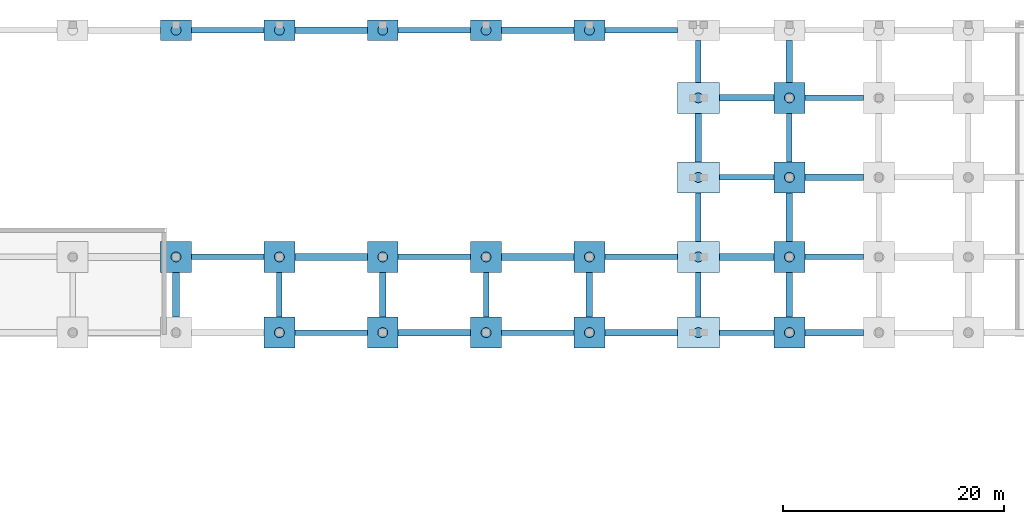
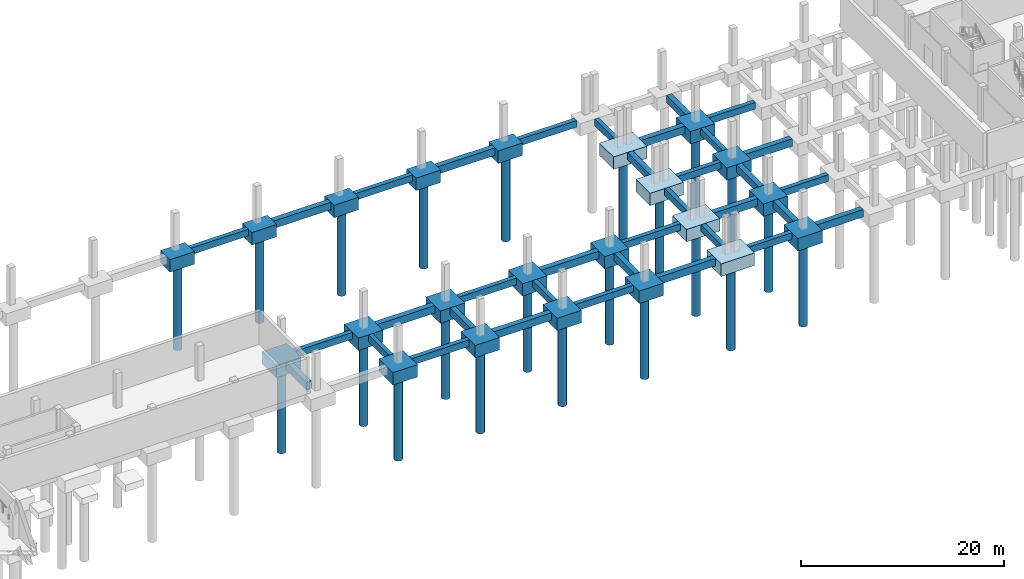
# One storey, part 5 of 21: 57 footings, 22 piles.
"""IFC4 building model written with IfcOpenShell, lengths in metres."""

import ifcopenshell
import ifcopenshell.guid

model = None  # the IFC model being written
_history = None  # IfcOwnerHistory: only IFC2X3 demands one
_inside = {}  # id of a spatial element -> (the spatial element, [elements in it])
_under = {}  # id of a project, library or spatial element -> (it, [spatial elements below it])
_declared = {}  # id of a project -> (the project, [libraries it declares])
_typed = {}  # id of a type object -> (the type object, [elements of that type])
_made_of = {}  # id of a material, layer set ... -> (it, [elements and type objects made of it])


def new_model(schema):
    """Start an empty IFC model of exactly this schema.

    Asked for "IFC4X3", IfcOpenShell would pick the latest addendum, in which some entities
    have other attributes; the version numbers below select the first issue.
    IFC2X3 requires an IfcOwnerHistory on every rooted entity: one is made here for all.
    """
    global model, _history
    if schema == "IFC4X3":
        model = ifcopenshell.file(schema_version=(4, 3, 0, 0))
    else:
        model = ifcopenshell.file(schema=schema)
    _inside.clear()
    _under.clear()
    _declared.clear()
    _typed.clear()
    _made_of.clear()
    _history = None
    if model.schema == "IFC2X3":
        org = make("IfcOrganization", Name="unknown")
        user = make(
            "IfcPersonAndOrganization",
            ThePerson=make("IfcPerson", FamilyName="unknown"),
            TheOrganization=org,
        )
        app = make(
            "IfcApplication",
            ApplicationDeveloper=org,
            Version="unknown",
            ApplicationFullName="unknown",
            ApplicationIdentifier="unknown",
        )
        _history = make(
            "IfcOwnerHistory",
            OwningUser=user,
            OwningApplication=app,
            ChangeAction="ADDED",
            CreationDate=0,
        )
    return model


def make(cls, **values):
    """One entity of the class cls with the attributes given. An attribute that is None is left unset."""
    return model.create_entity(
        cls, **{name: value for name, value in values.items() if value is not None}
    )


def rooted(cls, **values):
    """An entity with a GlobalId (a new one), such as an element, a storey or a relation."""
    return make(cls, GlobalId=ifcopenshell.guid.new(), OwnerHistory=_history, **values)


def si_unit(unit_type, name, prefix=None):
    """IfcSIUnit, for example si_unit("LENGTHUNIT", "METRE", prefix="MILLI")."""
    return make("IfcSIUnit", UnitType=unit_type, Prefix=prefix, Name=name)


def assignment(units):
    """IfcUnitAssignment: the units of a project."""
    return None if units is None else make("IfcUnitAssignment", Units=units)


def point(xyz):
    """IfcCartesianPoint."""
    return None if xyz is None else make("IfcCartesianPoint", Coordinates=xyz)


def direction(xyz):
    """IfcDirection."""
    return None if xyz is None else make("IfcDirection", DirectionRatios=xyz)


def frame(location, z_axis=None, x_axis=None):
    """IfcAxis2Placement3D, a coordinate frame: its origin and axes. An axis left out is left unset."""
    return make(
        "IfcAxis2Placement3D",
        Location=point(location),
        Axis=direction(z_axis),
        RefDirection=direction(x_axis),
    )


def frame_2d(location, x_axis=None):
    """IfcAxis2Placement2D, a coordinate frame in the plane: its origin and x axis."""
    return make(
        "IfcAxis2Placement2D", Location=point(location), RefDirection=direction(x_axis)
    )


def origin():
    """The frame at (0, 0, 0) with its axes left unset."""
    return frame((0.0, 0.0, 0.0))


def origin_2d():
    """The frame at (0, 0) in the plane with its x axis left unset."""
    return frame_2d((0.0, 0.0))


def place(relative_to, where):
    """IfcLocalPlacement: puts the frame where relative to a parent placement (None: the world)."""
    return make(
        "IfcLocalPlacement", PlacementRelTo=relative_to, RelativePlacement=where
    )


def context(
    kind, dimensions, precision=None, world=None, true_north=None, identifier=None
):
    """IfcGeometricRepresentationContext, for example the 3D "Model" context."""
    return make(
        "IfcGeometricRepresentationContext",
        ContextIdentifier=identifier,
        ContextType=kind,
        CoordinateSpaceDimension=dimensions,
        Precision=precision,
        WorldCoordinateSystem=world,
        TrueNorth=true_north,
    )


def subcontext(parent, identifier, kind, view, scale=None):
    """IfcGeometricRepresentationSubContext, for example "Body" below "Model"."""
    return make(
        "IfcGeometricRepresentationSubContext",
        ContextIdentifier=identifier,
        ContextType=kind,
        ParentContext=parent,
        TargetScale=scale,
        TargetView=view,
    )


def project(units=None, contexts=None):
    """IfcProject with its units and contexts."""
    return rooted(
        "IfcProject",
        Name="project",
        RepresentationContexts=contexts,
        UnitsInContext=assignment(units),
    )


def spatial(cls, under=None, at=None, **own):
    """A site, building, storey or space (cls), placed at a placement, below another one or the project."""
    s = rooted(cls, ObjectPlacement=at, **own)
    if under is not None:
        _under.setdefault(under.id(), (under, []))[1].append(s)
    return s


def polyline(points):
    """IfcPolyline through the points."""
    return make("IfcPolyline", Points=[point(p) for p in points])


def profile(cls, at=None, kind="AREA", **sizes):
    """A parametric profile (cls). Its sizes go by their IFC names, for example OverallWidth=200.0."""
    return make(cls, ProfileType=kind, Position=at, **sizes)


def circle(**sizes):
    """IfcCircleProfileDef."""
    return profile("IfcCircleProfileDef", **sizes)


def outline(outer, holes=None, kind="AREA"):
    """IfcArbitraryClosedProfileDef: a profile drawn as a closed curve; with holes, ...WithVoids."""
    if holes is None:
        return make("IfcArbitraryClosedProfileDef", ProfileType=kind, OuterCurve=outer)
    return make(
        "IfcArbitraryProfileDefWithVoids",
        ProfileType=kind,
        OuterCurve=outer,
        InnerCurves=holes,
    )


def extrude(swept, where, along, depth):
    """IfcExtrudedAreaSolid: the profile swept, set in the frame where, extruded along a direction by depth."""
    return make(
        "IfcExtrudedAreaSolid",
        SweptArea=swept,
        Position=where,
        ExtrudedDirection=direction(along),
        Depth=depth,
    )


def shape(context_of_items, identifier, shape_type, items):
    """IfcShapeRepresentation: the items that make up one representation, for example the "Body"."""
    return make(
        "IfcShapeRepresentation",
        ContextOfItems=context_of_items,
        RepresentationIdentifier=identifier,
        RepresentationType=shape_type,
        Items=items,
    )


def material(Name=None, Category=None):
    """IfcMaterial."""
    return make("IfcMaterial", Name=Name, Category=Category)


def material_profile(
    of_material, cross_section, Name=None, Category=None, Priority=None
):
    """IfcMaterialProfile: a cross section and its material."""
    return make(
        "IfcMaterialProfile",
        Name=Name,
        Material=of_material,
        Profile=cross_section,
        Priority=Priority,
        Category=Category,
    )


def profile_set(profiles, Name=None, composite=None):
    """IfcMaterialProfileSet."""
    return make(
        "IfcMaterialProfileSet",
        Name=Name,
        MaterialProfiles=profiles,
        CompositeProfile=composite,
    )


def made_of(thing, what):
    """Note that an element or type object is made of a material, layer set ...; save() writes the relation."""
    if what is not None:
        _made_of.setdefault(what.id(), (what, []))[1].append(thing)
    return thing


def type_object(cls, material=None, **own):
    """A type object (cls), such as IfcWallType, which elements share."""
    return made_of(rooted(cls, **own), material)


def element(
    cls,
    number,
    at=None,
    inside=None,
    cuts=None,
    type_object=None,
    material=None,
    context=None,
    identifier="Body",
    shape_type=None,
    held_by="IfcProductDefinitionShape",
    body=None,
    shapes=None,
    **own,
):
    """One element of the class cls, such as IfcWall. Its Tag is "e" and its number.

    at: its placement. inside: the storey or other place that contains it. cuts: it is an
    opening in that element (IfcRelVoidsElement). A single representation is given by context,
    identifier, shape_type and body (its items); several are given by shapes. held_by: the class
    of the entity that holds the representations. save() writes the other relations.
    """
    e = rooted(cls, Tag="e%d" % number, ObjectPlacement=at, **own)
    if body is not None:
        shapes = [shape(context, identifier, shape_type, body)]
    if shapes is not None:
        e.Representation = make(held_by, Representations=shapes)
    if inside is not None:
        _inside.setdefault(inside.id(), (inside, []))[1].append(e)
    if cuts is not None:
        rooted(
            "IfcRelVoidsElement", RelatingBuildingElement=cuts, RelatedOpeningElement=e
        )
    if type_object is not None:
        _typed.setdefault(type_object.id(), (type_object, []))[1].append(e)
    return made_of(e, material)


def aggregate(whole, parts):
    """IfcRelAggregates: a whole, such as a stair, and the parts it consists of."""
    return rooted("IfcRelAggregates", RelatingObject=whole, RelatedObjects=parts)


def save(model, path):
    """Write the relations noted so far, then the file.

    IfcRelAggregates (storeys below a building ...), IfcRelContainedInSpatialStructure (elements
    in a storey), IfcRelDefinesByType, IfcRelAssociatesMaterial and IfcRelDeclares: one each for
    every whole, place, type object, material and project.
    """
    for whole, parts in _under.values():
        aggregate(whole, parts)
    for where, things in _inside.values():
        rooted(
            "IfcRelContainedInSpatialStructure",
            RelatedElements=things,
            RelatingStructure=where,
        )
    for kind, things in _typed.values():
        rooted("IfcRelDefinesByType", RelatedObjects=things, RelatingType=kind)
    for what, things in _made_of.values():
        rooted("IfcRelAssociatesMaterial", RelatedObjects=things, RelatingMaterial=what)
    for by, libraries in _declared.values():
        rooted("IfcRelDeclares", RelatingContext=by, RelatedDefinitions=libraries)
    model.write(path)


model = new_model("IFC4")

# Units and contexts
model_context = context("Model", 3, precision=1e-05, world=origin(), true_north=direction((0.0, 1.0)))
body_context = subcontext(model_context, "Body", "Model", "MODEL_VIEW")
ifc_project = project(units=[si_unit("LENGTHUNIT", "METRE"), si_unit("AREAUNIT", "SQUARE_METRE"), si_unit("VOLUMEUNIT", "CUBIC_METRE"), si_unit("PLANEANGLEUNIT", "RADIAN"), si_unit("MASSUNIT", "GRAM", prefix="KILO")], contexts=[model_context])

# Site, building, storey
site_placement = place(None, origin())
site = spatial("IfcSite", under=ifc_project, at=site_placement, CompositionType="ELEMENT")
building_placement = place(site_placement, origin())
building = spatial("IfcBuilding", under=site, at=building_placement, Name="Quillay Park Conservatory", CompositionType="ELEMENT")
storey_placement = place(building_placement, frame((0.0, 0.0, -8.39990234375)))
storey = spatial("IfcBuildingStorey", under=building, at=storey_placement, Name="B2", CompositionType="ELEMENT", Elevation=-8.39990234375)

# Piles
ifc_material_1 = material(Name="Concrete C35/45 (NCh170 Concrete C35/45)", Category="concrete")
ifc_material_profile = material_profile(ifc_material_1, circle(Radius=0.449951171875, at=origin_2d()), Name="PILE900")
ifc_profile_set = profile_set([ifc_material_profile], Name="Concrete C35/45 (NCh170 Concrete C35/45)")
pile_type = type_object("IfcPileType", Name="BORED CONCRETE PILE 900", PredefinedType="BORED", material=ifc_profile_set)
for number, where, z_axis, x_axis, name in (
    (1, (77.427734375, 85.550048828125, -1.7001953125), (0.0, 0.0, -1.0), (1.0, 0.0, 0.0), "Bored pile P-0156"),
    (2, (86.783203125, 85.550048828125, -1.7001953125), (0.0, 0.0, -1.0), (1.0, 0.0, 0.0), "Bored pile P-0157"),
    (3, (96.138916015625, 85.550048828125, -1.7001953125), (0.0, 0.0, -1.0), (1.0, 0.0, 0.0), "Bored pile P-0158"),
    (4, (105.494384765625, 85.550048828125, -1.7001953125), (0.0, 0.0, -1.0), (1.0, 0.0, 0.0), "Bored pile P-0159"),
    (5, (115.35009765625, 85.550048828125, -1.7001953125), (0.0, 0.0, -1.0), (1.0, 0.0, 0.0), "Bored pile P-0160"),
    (6, (123.60009765625, 85.550048828125, -1.7001953125), (0.0, 0.0, -1.0), (1.0, 0.0, 0.0), "Bored pile P-0161"),
    (7, (68.072265625, 92.39990234375, -1.7001953125), (0.0, 0.0, -1.0), (1.0, 0.0, 0.0), "Bored pile P-0216"),
    (8, (77.427734375, 92.39990234375, -1.7001953125), (0.0, 0.0, -1.0), (1.0, 0.0, 0.0), "Bored pile P-0217"),
    (9, (86.783203125, 92.39990234375, -1.7001953125), (0.0, 0.0, -1.0), (1.0, 0.0, 0.0), "Bored pile P-0218"),
    (10, (96.138916015625, 92.39990234375, -1.7001953125), (0.0, 0.0, -1.0), (1.0, 0.0, 0.0), "Bored pile P-0219"),
    (11, (105.494384765625, 92.39990234375, -1.7001953125), (0.0, 0.0, -1.0), (1.0, 0.0, 0.0), "Bored pile P-0220"),
    (12, (115.35009765625, 92.39990234375, -1.7001953125), (0.0, 0.0, -1.0), (1.0, 0.0, 0.0), "Bored pile P-0221"),
    (13, (123.60009765625, 92.39990234375, -1.7001953125), (0.0, 0.0, -1.0), (1.0, 0.0, 0.0), "Bored pile P-0222"),
    (14, (115.35009765625, 99.60009765625, -1.7001953125), (0.0, 0.0, -1.0), (1.0, 0.0, 0.0), "Bored pile P-0228"),
    (15, (123.60009765625, 99.60009765625, -1.7001953125), (0.0, 0.0, -1.0), (1.0, 0.0, 0.0), "Bored pile P-0229"),
    (16, (115.35009765625, 106.800048828125, -1.7001953125), (0.0, 0.0, -1.0), (1.0, 0.0, 0.0), "Bored pile P-0238"),
    (17, (123.60009765625, 106.800048828125, -1.7001953125), (0.0, 0.0, -1.0), (1.0, 0.0, 0.0), "Bored pile P-0239"),
    (18, (68.072265625, 112.925048828125, -1.7001953125), (0.0, 0.0, -1.0), (1.0, 0.0, 0.0), "Bored pile P-0251"),
    (19, (77.427734375, 112.925048828125, -1.7001953125), (0.0, 0.0, -1.0), (1.0, 0.0, 0.0), "Bored pile P-0252"),
    (20, (86.783203125, 112.925048828125, -1.7001953125), (0.0, 0.0, -1.0), (1.0, 0.0, 0.0), "Bored pile P-0253"),
    (21, (96.138916015625, 112.925048828125, -1.7001953125), (0.0, 0.0, -1.0), (1.0, 0.0, 0.0), "Bored pile P-0254"),
    (22, (105.494384765625, 112.925048828125, -1.7001953125), (0.0, 0.0, -1.0), (1.0, 0.0, 0.0), "Bored pile P-0255"),
):
    element("IfcPile", number, at=place(storey_placement, frame(where, z_axis=z_axis, x_axis=x_axis)), inside=storey, type_object=pile_type, Name=name, PredefinedType="BORED", context=body_context, shape_type="SweptSolid", body=[
        extrude(circle(Radius=0.449951171875, at=origin_2d()), origin(), (0.0, 0.0, 1.0), 10.300048828125),
    ])

# Footings
ifc_material_2 = material(Name="Concrete C35/45 (NCh170 Concrete C35/45)", Category="concrete")
footing_type_1 = type_object("IfcFootingType", Name="BORED PILE CAP 2800 X1850", PredefinedType="PILE_CAP", material=ifc_material_2)
footing_1_placement = place(storey_placement, frame((0.0, 0.0, -1.800048828125)))
element("IfcFooting", 23, at=footing_1_placement, inside=storey, type_object=footing_type_1, Name="B2 pile cap PC-28 (102)", PredefinedType="PILE_CAP", context=body_context, shape_type="SweptSolid", body=[
    extrude(outline(polyline([(66.672119140625, 112.0), (69.47216796875, 112.0), (69.47216796875, 113.85009765625), (66.672119140625, 113.85009765625), (66.672119140625, 112.0)])), origin(), (0.0, 0.0, 1.0), 1.5),
])
footing_2_placement = place(storey_placement, frame((0.0, 0.0, -1.800048828125)))
element("IfcFooting", 24, at=footing_2_placement, inside=storey, type_object=footing_type_1, Name="B2 pile cap PC-28 (103)", PredefinedType="PILE_CAP", context=body_context, shape_type="SweptSolid", body=[
    extrude(outline(polyline([(76.02783203125, 112.0), (78.827880859375, 112.0), (78.827880859375, 113.85009765625), (76.02783203125, 113.85009765625), (76.02783203125, 112.0)])), origin(), (0.0, 0.0, 1.0), 1.5),
])
footing_3_placement = place(storey_placement, frame((0.0, 0.0, -1.800048828125)))
element("IfcFooting", 25, at=footing_3_placement, inside=storey, type_object=footing_type_1, Name="B2 pile cap PC-28 (104)", PredefinedType="PILE_CAP", context=body_context, shape_type="SweptSolid", body=[
    extrude(outline(polyline([(85.38330078125, 112.0), (88.183349609375, 112.0), (88.183349609375, 113.85009765625), (85.38330078125, 113.85009765625), (85.38330078125, 112.0)])), origin(), (0.0, 0.0, 1.0), 1.5),
])
footing_4_placement = place(storey_placement, frame((0.0, 0.0, -1.800048828125)))
element("IfcFooting", 26, at=footing_4_placement, inside=storey, type_object=footing_type_1, Name="B2 pile cap PC-28 (105)", PredefinedType="PILE_CAP", context=body_context, shape_type="SweptSolid", body=[
    extrude(outline(polyline([(94.739013671875, 112.0), (97.538818359375, 112.0), (97.538818359375, 113.85009765625), (94.739013671875, 113.85009765625), (94.739013671875, 112.0)])), origin(), (0.0, 0.0, 1.0), 1.5),
])
footing_5_placement = place(storey_placement, frame((0.0, 0.0, -1.800048828125)))
element("IfcFooting", 27, at=footing_5_placement, inside=storey, type_object=footing_type_1, Name="B2 pile cap PC-28 (106)", PredefinedType="PILE_CAP", context=body_context, shape_type="SweptSolid", body=[
    extrude(outline(polyline([(104.094482421875, 112.0), (106.894287109375, 112.0), (106.894287109375, 113.85009765625), (104.094482421875, 113.85009765625), (104.094482421875, 112.0)])), origin(), (0.0, 0.0, 1.0), 1.5),
])
ifc_material_3 = material(Name="Concrete C35/45 (NCh170 Concrete C35/45)", Category="concrete")
footing_type_2 = type_object("IfcFootingType", Name="BORED PILE CAP 2800 X2800", PredefinedType="PILE_CAP", material=ifc_material_3)
footing_6_placement = place(storey_placement, frame((0.0, 0.0, -1.800048828125)))
element("IfcFooting", 28, at=footing_6_placement, inside=storey, type_object=footing_type_2, Name="B2 pile cap PC-05 (054)", PredefinedType="PILE_CAP", context=body_context, shape_type="SweptSolid", body=[
    extrude(outline(polyline([(76.02783203125, 84.14990234375), (78.827880859375, 84.14990234375), (78.827880859375, 86.949951171875), (76.02783203125, 86.949951171875), (76.02783203125, 84.14990234375)])), origin(), (0.0, 0.0, 1.0), 1.5),
])
footing_7_placement = place(storey_placement, frame((0.0, 0.0, -1.800048828125)))
element("IfcFooting", 29, at=footing_7_placement, inside=storey, type_object=footing_type_2, Name="B2 pile cap PC-05 (055)", PredefinedType="PILE_CAP", context=body_context, shape_type="SweptSolid", body=[
    extrude(outline(polyline([(85.38330078125, 84.14990234375), (88.183349609375, 84.14990234375), (88.183349609375, 86.949951171875), (85.38330078125, 86.949951171875), (85.38330078125, 84.14990234375)])), origin(), (0.0, 0.0, 1.0), 1.5),
])
footing_8_placement = place(storey_placement, frame((0.0, 0.0, -1.800048828125)))
element("IfcFooting", 30, at=footing_8_placement, inside=storey, type_object=footing_type_2, Name="B2 pile cap PC-05 (056)", PredefinedType="PILE_CAP", context=body_context, shape_type="SweptSolid", body=[
    extrude(outline(polyline([(94.739013671875, 84.14990234375), (97.538818359375, 84.14990234375), (97.538818359375, 86.949951171875), (94.739013671875, 86.949951171875), (94.739013671875, 84.14990234375)])), origin(), (0.0, 0.0, 1.0), 1.5),
])
footing_9_placement = place(storey_placement, frame((0.0, 0.0, -1.800048828125)))
element("IfcFooting", 31, at=footing_9_placement, inside=storey, type_object=footing_type_2, Name="B2 pile cap PC-05 (057)", PredefinedType="PILE_CAP", context=body_context, shape_type="SweptSolid", body=[
    extrude(outline(polyline([(104.094482421875, 84.14990234375), (106.894287109375, 84.14990234375), (106.894287109375, 86.949951171875), (104.094482421875, 86.949951171875), (104.094482421875, 84.14990234375)])), origin(), (0.0, 0.0, 1.0), 1.5),
])
footing_10_placement = place(storey_placement, frame((0.0, 0.0, -1.800048828125)))
element("IfcFooting", 32, at=footing_10_placement, inside=storey, type_object=footing_type_2, Name="B2 pile cap PC-05 (059)", PredefinedType="PILE_CAP", context=body_context, shape_type="SweptSolid", body=[
    extrude(outline(polyline([(122.199951171875, 84.14990234375), (125.0, 84.14990234375), (125.0, 86.949951171875), (122.199951171875, 86.949951171875), (122.199951171875, 84.14990234375)])), origin(), (0.0, 0.0, 1.0), 1.5),
])
footing_11_placement = place(storey_placement, frame((0.0, 0.0, -1.800048828125)))
element("IfcFooting", 33, at=footing_11_placement, inside=storey, type_object=footing_type_2, Name="B2 pile cap PC-05 (069)", PredefinedType="PILE_CAP", context=body_context, shape_type="SweptSolid", body=[
    extrude(outline(polyline([(66.672119140625, 91.0), (69.47216796875, 91.0), (69.47216796875, 93.800048828125), (66.672119140625, 93.800048828125), (66.672119140625, 91.0)])), origin(), (0.0, 0.0, 1.0), 1.5),
])
footing_12_placement = place(storey_placement, frame((0.0, 0.0, -1.800048828125)))
element("IfcFooting", 34, at=footing_12_placement, inside=storey, type_object=footing_type_2, Name="B2 pile cap PC-05 (070)", PredefinedType="PILE_CAP", context=body_context, shape_type="SweptSolid", body=[
    extrude(outline(polyline([(76.02783203125, 91.0), (78.827880859375, 91.0), (78.827880859375, 93.800048828125), (76.02783203125, 93.800048828125), (76.02783203125, 91.0)])), origin(), (0.0, 0.0, 1.0), 1.5),
])
footing_13_placement = place(storey_placement, frame((0.0, 0.0, -1.800048828125)))
element("IfcFooting", 35, at=footing_13_placement, inside=storey, type_object=footing_type_2, Name="B2 pile cap PC-05 (071)", PredefinedType="PILE_CAP", context=body_context, shape_type="SweptSolid", body=[
    extrude(outline(polyline([(85.38330078125, 91.0), (88.183349609375, 91.0), (88.183349609375, 93.800048828125), (85.38330078125, 93.800048828125), (85.38330078125, 91.0)])), origin(), (0.0, 0.0, 1.0), 1.5),
])
footing_14_placement = place(storey_placement, frame((0.0, 0.0, -1.800048828125)))
element("IfcFooting", 36, at=footing_14_placement, inside=storey, type_object=footing_type_2, Name="B2 pile cap PC-05 (072)", PredefinedType="PILE_CAP", context=body_context, shape_type="SweptSolid", body=[
    extrude(outline(polyline([(94.739013671875, 91.0), (97.538818359375, 91.0), (97.538818359375, 93.800048828125), (94.739013671875, 93.800048828125), (94.739013671875, 91.0)])), origin(), (0.0, 0.0, 1.0), 1.5),
])
footing_15_placement = place(storey_placement, frame((0.0, 0.0, -1.800048828125)))
element("IfcFooting", 37, at=footing_15_placement, inside=storey, type_object=footing_type_2, Name="B2 pile cap PC-05 (073)", PredefinedType="PILE_CAP", context=body_context, shape_type="SweptSolid", body=[
    extrude(outline(polyline([(104.094482421875, 91.0), (106.894287109375, 91.0), (106.894287109375, 93.800048828125), (104.094482421875, 93.800048828125), (104.094482421875, 91.0)])), origin(), (0.0, 0.0, 1.0), 1.5),
])
footing_16_placement = place(storey_placement, frame((0.0, 0.0, -1.800048828125)))
element("IfcFooting", 38, at=footing_16_placement, inside=storey, type_object=footing_type_2, Name="B2 pile cap PC-05 (075)", PredefinedType="PILE_CAP", context=body_context, shape_type="SweptSolid", body=[
    extrude(outline(polyline([(122.199951171875, 91.0), (125.0, 91.0), (125.0, 93.800048828125), (122.199951171875, 93.800048828125), (122.199951171875, 91.0)])), origin(), (0.0, 0.0, 1.0), 1.5),
])
footing_17_placement = place(storey_placement, frame((0.0, 0.0, -1.800048828125)))
element("IfcFooting", 39, at=footing_17_placement, inside=storey, type_object=footing_type_2, Name="B2 pile cap PC-05 (082)", PredefinedType="PILE_CAP", context=body_context, shape_type="SweptSolid", body=[
    extrude(outline(polyline([(122.199951171875, 98.199951171875), (125.0, 98.199951171875), (125.0, 101.0), (122.199951171875, 101.0), (122.199951171875, 98.199951171875)])), origin(), (0.0, 0.0, 1.0), 1.5),
])
footing_18_placement = place(storey_placement, frame((0.0, 0.0, -1.800048828125)))
element("IfcFooting", 40, at=footing_18_placement, inside=storey, type_object=footing_type_2, Name="B2 pile cap PC-05 (091)", PredefinedType="PILE_CAP", context=body_context, shape_type="SweptSolid", body=[
    extrude(outline(polyline([(122.199951171875, 105.39990234375), (125.0, 105.39990234375), (125.0, 108.199951171875), (122.199951171875, 108.199951171875), (122.199951171875, 105.39990234375)])), origin(), (0.0, 0.0, 1.0), 1.5),
])
ifc_material_4 = material(Name="Concrete C35/45 (NCh170 Concrete C35/45)", Category="concrete")
footing_type_3 = type_object("IfcFootingType", Name="BORED PILE CAP 3800 X2800", PredefinedType="PILE_CAP", material=ifc_material_4)
footing_19_placement = place(storey_placement, frame((0.0, 0.0, -1.800048828125)))
element("IfcFooting", 41, at=footing_19_placement, inside=storey, type_object=footing_type_3, Name="B2 pile cap PC-19 (058)", PredefinedType="PILE_CAP", context=body_context, shape_type="SweptSolid", body=[
    extrude(outline(polyline([(113.449951171875, 84.14990234375), (117.25, 84.14990234375), (117.25, 86.949951171875), (113.449951171875, 86.949951171875), (113.449951171875, 84.14990234375)])), origin(), (0.0, 0.0, 1.0), 1.5),
])
footing_20_placement = place(storey_placement, frame((0.0, 0.0, -1.800048828125)))
element("IfcFooting", 42, at=footing_20_placement, inside=storey, type_object=footing_type_3, Name="B2 pile cap PC-19 (074)", PredefinedType="PILE_CAP", context=body_context, shape_type="SweptSolid", body=[
    extrude(outline(polyline([(113.449951171875, 91.0), (117.25, 91.0), (117.25, 93.800048828125), (113.449951171875, 93.800048828125), (113.449951171875, 91.0)])), origin(), (0.0, 0.0, 1.0), 1.5),
])
footing_21_placement = place(storey_placement, frame((0.0, 0.0, -1.800048828125)))
element("IfcFooting", 43, at=footing_21_placement, inside=storey, type_object=footing_type_3, Name="B2 pile cap PC-19 (081)", PredefinedType="PILE_CAP", context=body_context, shape_type="SweptSolid", body=[
    extrude(outline(polyline([(113.449951171875, 98.199951171875), (117.25, 98.199951171875), (117.25, 101.0), (113.449951171875, 101.0), (113.449951171875, 98.199951171875)])), origin(), (0.0, 0.0, 1.0), 1.5),
])
footing_22_placement = place(storey_placement, frame((0.0, 0.0, -1.800048828125)))
element("IfcFooting", 44, at=footing_22_placement, inside=storey, type_object=footing_type_3, Name="B2 pile cap PC-19 (090)", PredefinedType="PILE_CAP", context=body_context, shape_type="SweptSolid", body=[
    extrude(outline(polyline([(113.449951171875, 105.39990234375), (117.25, 105.39990234375), (117.25, 108.199951171875), (113.449951171875, 108.199951171875), (113.449951171875, 105.39990234375)])), origin(), (0.0, 0.0, 1.0), 1.5),
])
ifc_material_5 = material(Name="Concrete C35/45 (NCh170 Concrete C35/45)", Category="concrete")
footing_type_4 = type_object("IfcFootingType", Name="SEISMIC GROUND BEAM 500 X800", PredefinedType="FOOTING_BEAM", material=ifc_material_5)
footing_23_placement = place(storey_placement, frame((0.0, 0.0, -1.10009765625)))
element("IfcFooting", 45, at=footing_23_placement, inside=storey, type_object=footing_type_4, Name="Seismic ground tie beam FB-042", PredefinedType="FOOTING_BEAM", context=body_context, shape_type="SweptSolid", body=[
    extrude(outline(polyline([(78.827880859375, 85.300048828125), (85.38330078125, 85.300048828125), (85.38330078125, 85.800048828125), (78.827880859375, 85.800048828125), (78.827880859375, 85.300048828125)])), origin(), (0.0, 0.0, 1.0), 0.800048828125),
])
footing_24_placement = place(storey_placement, frame((0.0, 0.0, -1.10009765625)))
element("IfcFooting", 46, at=footing_24_placement, inside=storey, type_object=footing_type_4, Name="Seismic ground tie beam FB-044", PredefinedType="FOOTING_BEAM", context=body_context, shape_type="SweptSolid", body=[
    extrude(outline(polyline([(97.538818359375, 85.300048828125), (104.094482421875, 85.300048828125), (104.094482421875, 85.800048828125), (97.538818359375, 85.800048828125), (97.538818359375, 85.300048828125)])), origin(), (0.0, 0.0, 1.0), 0.800048828125),
])
footing_25_placement = place(storey_placement, frame((0.0, 0.0, -1.10009765625)))
element("IfcFooting", 47, at=footing_25_placement, inside=storey, type_object=footing_type_4, Name="Seismic ground tie beam FB-046", PredefinedType="FOOTING_BEAM", context=body_context, shape_type="SweptSolid", body=[
    extrude(outline(polyline([(117.25, 85.300048828125), (122.199951171875, 85.300048828125), (122.199951171875, 85.800048828125), (117.25, 85.800048828125), (117.25, 85.300048828125)])), origin(), (0.0, 0.0, 1.0), 0.800048828125),
])
footing_26_placement = place(storey_placement, frame((0.0, 0.0, -1.10009765625)))
element("IfcFooting", 48, at=footing_26_placement, inside=storey, type_object=footing_type_4, Name="Seismic ground tie beam FB-056", PredefinedType="FOOTING_BEAM", context=body_context, shape_type="SweptSolid", body=[
    extrude(outline(polyline([(69.47216796875, 92.14990234375), (76.02783203125, 92.14990234375), (76.02783203125, 92.64990234375), (69.47216796875, 92.64990234375), (69.47216796875, 92.14990234375)])), origin(), (0.0, 0.0, 1.0), 0.800048828125),
])
footing_27_placement = place(storey_placement, frame((0.0, 0.0, -1.10009765625)))
element("IfcFooting", 49, at=footing_27_placement, inside=storey, type_object=footing_type_4, Name="Seismic ground tie beam FB-058", PredefinedType="FOOTING_BEAM", context=body_context, shape_type="SweptSolid", body=[
    extrude(outline(polyline([(88.183349609375, 92.14990234375), (94.739013671875, 92.14990234375), (94.739013671875, 92.64990234375), (88.183349609375, 92.64990234375), (88.183349609375, 92.14990234375)])), origin(), (0.0, 0.0, 1.0), 0.800048828125),
])
footing_28_placement = place(storey_placement, frame((0.0, 0.0, -1.10009765625)))
element("IfcFooting", 50, at=footing_28_placement, inside=storey, type_object=footing_type_4, Name="Seismic ground tie beam FB-060", PredefinedType="FOOTING_BEAM", context=body_context, shape_type="SweptSolid", body=[
    extrude(outline(polyline([(106.894287109375, 92.14990234375), (113.449951171875, 92.14990234375), (113.449951171875, 92.64990234375), (106.894287109375, 92.64990234375), (106.894287109375, 92.14990234375)])), origin(), (0.0, 0.0, 1.0), 0.800048828125),
])
footing_29_placement = place(storey_placement, frame((0.0, 0.0, -1.10009765625)))
element("IfcFooting", 51, at=footing_29_placement, inside=storey, type_object=footing_type_4, Name="Seismic ground tie beam FB-062", PredefinedType="FOOTING_BEAM", context=body_context, shape_type="SweptSolid", body=[
    extrude(outline(polyline([(125.0, 92.14990234375), (130.300048828125, 92.14990234375), (130.300048828125, 92.64990234375), (125.0, 92.64990234375), (125.0, 92.14990234375)])), origin(), (0.0, 0.0, 1.0), 0.800048828125),
])
footing_30_placement = place(storey_placement, frame((0.0, 0.0, -1.10009765625)))
element("IfcFooting", 52, at=footing_30_placement, inside=storey, type_object=footing_type_4, Name="Seismic ground tie beam FB-066", PredefinedType="FOOTING_BEAM", context=body_context, shape_type="SweptSolid", body=[
    extrude(outline(polyline([(117.25, 99.35009765625), (122.199951171875, 99.35009765625), (122.199951171875, 99.85009765625), (117.25, 99.85009765625), (117.25, 99.35009765625)])), origin(), (0.0, 0.0, 1.0), 0.800048828125),
])
footing_31_placement = place(storey_placement, frame((0.0, 0.0, -1.10009765625)))
element("IfcFooting", 53, at=footing_31_placement, inside=storey, type_object=footing_type_4, Name="Seismic ground tie beam FB-074", PredefinedType="FOOTING_BEAM", context=body_context, shape_type="SweptSolid", body=[
    extrude(outline(polyline([(125.0, 106.550048828125), (130.300048828125, 106.550048828125), (130.300048828125, 107.050048828125), (125.0, 107.050048828125), (125.0, 106.550048828125)])), origin(), (0.0, 0.0, 1.0), 0.800048828125),
])
footing_32_placement = place(storey_placement, frame((0.0, 0.0, -1.10009765625)))
element("IfcFooting", 54, at=footing_32_placement, inside=storey, type_object=footing_type_4, Name="Seismic ground tie beam FB-084", PredefinedType="FOOTING_BEAM", context=body_context, shape_type="SweptSolid", body=[
    extrude(outline(polyline([(69.47216796875, 112.675048828125), (76.02783203125, 112.675048828125), (76.02783203125, 113.175048828125), (69.47216796875, 113.175048828125), (69.47216796875, 112.675048828125)])), origin(), (0.0, 0.0, 1.0), 0.800048828125),
])
footing_33_placement = place(storey_placement, frame((0.0, 0.0, -1.10009765625)))
element("IfcFooting", 55, at=footing_33_placement, inside=storey, type_object=footing_type_4, Name="Seismic ground tie beam FB-086", PredefinedType="FOOTING_BEAM", context=body_context, shape_type="SweptSolid", body=[
    extrude(outline(polyline([(88.183349609375, 112.675048828125), (94.739013671875, 112.675048828125), (94.739013671875, 113.175048828125), (88.183349609375, 113.175048828125), (88.183349609375, 112.675048828125)])), origin(), (0.0, 0.0, 1.0), 0.800048828125),
])
footing_34_placement = place(storey_placement, frame((0.0, 0.0, -1.10009765625)))
element("IfcFooting", 56, at=footing_34_placement, inside=storey, type_object=footing_type_4, Name="Seismic ground tie beam FB-088", PredefinedType="FOOTING_BEAM", context=body_context, shape_type="SweptSolid", body=[
    extrude(outline(polyline([(106.894287109375, 112.675048828125), (113.449951171875, 112.675048828125), (113.449951171875, 113.175048828125), (106.894287109375, 113.175048828125), (106.894287109375, 112.675048828125)])), origin(), (0.0, 0.0, 1.0), 0.800048828125),
])
footing_35_placement = place(storey_placement, frame((0.0, 0.0, -1.10009765625)))
element("IfcFooting", 57, at=footing_35_placement, inside=storey, type_object=footing_type_4, Name="Seismic ground tie beam FB-144", PredefinedType="FOOTING_BEAM", context=body_context, shape_type="SweptSolid", body=[
    extrude(outline(polyline([(77.177978515625, 86.949951171875), (77.677978515625, 86.949951171875), (77.677978515625, 91.0), (77.177978515625, 91.0), (77.177978515625, 86.949951171875)])), origin(), (0.0, 0.0, 1.0), 0.800048828125),
])
footing_36_placement = place(storey_placement, frame((0.0, 0.0, -1.10009765625)))
element("IfcFooting", 58, at=footing_36_placement, inside=storey, type_object=footing_type_4, Name="Seismic ground tie beam FB-146", PredefinedType="FOOTING_BEAM", context=body_context, shape_type="SweptSolid", body=[
    extrude(outline(polyline([(95.888916015625, 86.949951171875), (96.388916015625, 86.949951171875), (96.388916015625, 91.0), (95.888916015625, 91.0), (95.888916015625, 86.949951171875)])), origin(), (0.0, 0.0, 1.0), 0.800048828125),
])
footing_37_placement = place(storey_placement, frame((0.0, 0.0, -1.10009765625)))
element("IfcFooting", 59, at=footing_37_placement, inside=storey, type_object=footing_type_4, Name="Seismic ground tie beam FB-148", PredefinedType="FOOTING_BEAM", context=body_context, shape_type="SweptSolid", body=[
    extrude(outline(polyline([(115.10009765625, 86.949951171875), (115.60009765625, 86.949951171875), (115.60009765625, 91.0), (115.10009765625, 91.0), (115.10009765625, 86.949951171875)])), origin(), (0.0, 0.0, 1.0), 0.800048828125),
])
footing_38_placement = place(storey_placement, frame((0.0, 0.0, -1.10009765625)))
element("IfcFooting", 60, at=footing_38_placement, inside=storey, type_object=footing_type_4, Name="Seismic ground tie beam FB-156", PredefinedType="FOOTING_BEAM", context=body_context, shape_type="SweptSolid", body=[
    extrude(outline(polyline([(115.10009765625, 93.800048828125), (115.60009765625, 93.800048828125), (115.60009765625, 98.199951171875), (115.10009765625, 98.199951171875), (115.10009765625, 93.800048828125)])), origin(), (0.0, 0.0, 1.0), 0.800048828125),
])
footing_39_placement = place(storey_placement, frame((0.0, 0.0, -1.10009765625)))
element("IfcFooting", 61, at=footing_39_placement, inside=storey, type_object=footing_type_4, Name="Seismic ground tie beam FB-164", PredefinedType="FOOTING_BEAM", context=body_context, shape_type="SweptSolid", body=[
    extrude(outline(polyline([(123.35009765625, 101.0), (123.85009765625, 101.0), (123.85009765625, 105.39990234375), (123.35009765625, 105.39990234375), (123.35009765625, 101.0)])), origin(), (0.0, 0.0, 1.0), 0.800048828125),
])
footing_40_placement = place(storey_placement, frame((0.0, 0.0, -1.10009765625)))
element("IfcFooting", 62, at=footing_40_placement, inside=storey, type_object=footing_type_4, Name="Seismic ground tie beam FB-172", PredefinedType="FOOTING_BEAM", context=body_context, shape_type="SweptSolid", body=[
    extrude(outline(polyline([(115.10009765625, 108.199951171875), (115.60009765625, 108.199951171875), (115.60009765625, 112.0), (115.10009765625, 112.0), (115.10009765625, 108.199951171875)])), origin(), (0.0, 0.0, 1.0), 0.800048828125),
])
ifc_material_6 = material(Name="Concrete C35/45 (NCh170 Concrete C35/45)", Category="concrete")
footing_type_5 = type_object("IfcFootingType", Name="SEISMIC GROUND BEAM 600 X900", PredefinedType="FOOTING_BEAM", material=ifc_material_6)
footing_41_placement = place(storey_placement, frame((0.0, 0.0, -1.2001953125)))
element("IfcFooting", 63, at=footing_41_placement, inside=storey, type_object=footing_type_5, Name="Seismic ground tie beam FB-043", PredefinedType="FOOTING_BEAM", context=body_context, shape_type="SweptSolid", body=[
    extrude(outline(polyline([(88.183349609375, 85.25), (94.739013671875, 85.25), (94.739013671875, 85.85009765625), (88.183349609375, 85.85009765625), (88.183349609375, 85.25)])), origin(), (0.0, 0.0, 1.0), 0.900146484375),
])
footing_42_placement = place(storey_placement, frame((0.0, 0.0, -1.2001953125)))
element("IfcFooting", 64, at=footing_42_placement, inside=storey, type_object=footing_type_5, Name="Seismic ground tie beam FB-045", PredefinedType="FOOTING_BEAM", context=body_context, shape_type="SweptSolid", body=[
    extrude(outline(polyline([(106.894287109375, 85.25), (113.449951171875, 85.25), (113.449951171875, 85.85009765625), (106.894287109375, 85.85009765625), (106.894287109375, 85.25)])), origin(), (0.0, 0.0, 1.0), 0.900146484375),
])
footing_43_placement = place(storey_placement, frame((0.0, 0.0, -1.2001953125)))
element("IfcFooting", 65, at=footing_43_placement, inside=storey, type_object=footing_type_5, Name="Seismic ground tie beam FB-047", PredefinedType="FOOTING_BEAM", context=body_context, shape_type="SweptSolid", body=[
    extrude(outline(polyline([(125.0, 85.25), (130.300048828125, 85.25), (130.300048828125, 85.85009765625), (125.0, 85.85009765625), (125.0, 85.25)])), origin(), (0.0, 0.0, 1.0), 0.900146484375),
])
footing_44_placement = place(storey_placement, frame((0.0, 0.0, -1.2001953125)))
element("IfcFooting", 66, at=footing_44_placement, inside=storey, type_object=footing_type_5, Name="Seismic ground tie beam FB-057", PredefinedType="FOOTING_BEAM", context=body_context, shape_type="SweptSolid", body=[
    extrude(outline(polyline([(78.827880859375, 92.10009765625), (85.38330078125, 92.10009765625), (85.38330078125, 92.699951171875), (78.827880859375, 92.699951171875), (78.827880859375, 92.10009765625)])), origin(), (0.0, 0.0, 1.0), 0.900146484375),
])
footing_45_placement = place(storey_placement, frame((0.0, 0.0, -1.2001953125)))
element("IfcFooting", 67, at=footing_45_placement, inside=storey, type_object=footing_type_5, Name="Seismic ground tie beam FB-059", PredefinedType="FOOTING_BEAM", context=body_context, shape_type="SweptSolid", body=[
    extrude(outline(polyline([(97.538818359375, 92.10009765625), (104.094482421875, 92.10009765625), (104.094482421875, 92.699951171875), (97.538818359375, 92.699951171875), (97.538818359375, 92.10009765625)])), origin(), (0.0, 0.0, 1.0), 0.900146484375),
])
footing_46_placement = place(storey_placement, frame((0.0, 0.0, -1.2001953125)))
element("IfcFooting", 68, at=footing_46_placement, inside=storey, type_object=footing_type_5, Name="Seismic ground tie beam FB-061", PredefinedType="FOOTING_BEAM", context=body_context, shape_type="SweptSolid", body=[
    extrude(outline(polyline([(117.25, 92.10009765625), (122.199951171875, 92.10009765625), (122.199951171875, 92.699951171875), (117.25, 92.699951171875), (117.25, 92.10009765625)])), origin(), (0.0, 0.0, 1.0), 0.900146484375),
])
footing_47_placement = place(storey_placement, frame((0.0, 0.0, -1.2001953125)))
element("IfcFooting", 69, at=footing_47_placement, inside=storey, type_object=footing_type_5, Name="Seismic ground tie beam FB-067", PredefinedType="FOOTING_BEAM", context=body_context, shape_type="SweptSolid", body=[
    extrude(outline(polyline([(125.0, 99.300048828125), (130.300048828125, 99.300048828125), (130.300048828125, 99.89990234375), (125.0, 99.89990234375), (125.0, 99.300048828125)])), origin(), (0.0, 0.0, 1.0), 0.900146484375),
])
footing_48_placement = place(storey_placement, frame((0.0, 0.0, -1.2001953125)))
element("IfcFooting", 70, at=footing_48_placement, inside=storey, type_object=footing_type_5, Name="Seismic ground tie beam FB-073", PredefinedType="FOOTING_BEAM", context=body_context, shape_type="SweptSolid", body=[
    extrude(outline(polyline([(117.25, 106.5), (122.199951171875, 106.5), (122.199951171875, 107.10009765625), (117.25, 107.10009765625), (117.25, 106.5)])), origin(), (0.0, 0.0, 1.0), 0.900146484375),
])
footing_49_placement = place(storey_placement, frame((0.0, 0.0, -1.2001953125)))
element("IfcFooting", 71, at=footing_49_placement, inside=storey, type_object=footing_type_5, Name="Seismic ground tie beam FB-085", PredefinedType="FOOTING_BEAM", context=body_context, shape_type="SweptSolid", body=[
    extrude(outline(polyline([(78.827880859375, 112.625), (85.38330078125, 112.625), (85.38330078125, 113.22509765625), (78.827880859375, 113.22509765625), (78.827880859375, 112.625)])), origin(), (0.0, 0.0, 1.0), 0.900146484375),
])
footing_50_placement = place(storey_placement, frame((0.0, 0.0, -1.2001953125)))
element("IfcFooting", 72, at=footing_50_placement, inside=storey, type_object=footing_type_5, Name="Seismic ground tie beam FB-087", PredefinedType="FOOTING_BEAM", context=body_context, shape_type="SweptSolid", body=[
    extrude(outline(polyline([(97.538818359375, 112.625), (104.094482421875, 112.625), (104.094482421875, 113.22509765625), (97.538818359375, 113.22509765625), (97.538818359375, 112.625)])), origin(), (0.0, 0.0, 1.0), 0.900146484375),
])
footing_51_placement = place(storey_placement, frame((0.0, 0.0, -1.2001953125)))
element("IfcFooting", 73, at=footing_51_placement, inside=storey, type_object=footing_type_5, Name="Seismic ground tie beam FB-143", PredefinedType="FOOTING_BEAM", context=body_context, shape_type="SweptSolid", body=[
    extrude(outline(polyline([(67.77197265625, 86.949951171875), (68.3720703125, 86.949951171875), (68.3720703125, 91.0), (67.77197265625, 91.0), (67.77197265625, 86.949951171875)])), origin(), (0.0, 0.0, 1.0), 0.900146484375),
])
footing_52_placement = place(storey_placement, frame((0.0, 0.0, -1.2001953125)))
element("IfcFooting", 74, at=footing_52_placement, inside=storey, type_object=footing_type_5, Name="Seismic ground tie beam FB-145", PredefinedType="FOOTING_BEAM", context=body_context, shape_type="SweptSolid", body=[
    extrude(outline(polyline([(86.48291015625, 86.949951171875), (87.0830078125, 86.949951171875), (87.0830078125, 91.0), (86.48291015625, 91.0), (86.48291015625, 86.949951171875)])), origin(), (0.0, 0.0, 1.0), 0.900146484375),
])
footing_53_placement = place(storey_placement, frame((0.0, 0.0, -1.2001953125)))
element("IfcFooting", 75, at=footing_53_placement, inside=storey, type_object=footing_type_5, Name="Seismic ground tie beam FB-147", PredefinedType="FOOTING_BEAM", context=body_context, shape_type="SweptSolid", body=[
    extrude(outline(polyline([(105.194091796875, 86.949951171875), (105.7939453125, 86.949951171875), (105.7939453125, 91.0), (105.194091796875, 91.0), (105.194091796875, 86.949951171875)])), origin(), (0.0, 0.0, 1.0), 0.900146484375),
])
footing_54_placement = place(storey_placement, frame((0.0, 0.0, -1.2001953125)))
element("IfcFooting", 76, at=footing_54_placement, inside=storey, type_object=footing_type_5, Name="Seismic ground tie beam FB-149", PredefinedType="FOOTING_BEAM", context=body_context, shape_type="SweptSolid", body=[
    extrude(outline(polyline([(123.300048828125, 86.949951171875), (123.89990234375, 86.949951171875), (123.89990234375, 91.0), (123.300048828125, 91.0), (123.300048828125, 86.949951171875)])), origin(), (0.0, 0.0, 1.0), 0.900146484375),
])
footing_55_placement = place(storey_placement, frame((0.0, 0.0, -1.2001953125)))
element("IfcFooting", 77, at=footing_55_placement, inside=storey, type_object=footing_type_5, Name="Seismic ground tie beam FB-157", PredefinedType="FOOTING_BEAM", context=body_context, shape_type="SweptSolid", body=[
    extrude(outline(polyline([(123.300048828125, 93.800048828125), (123.89990234375, 93.800048828125), (123.89990234375, 98.199951171875), (123.300048828125, 98.199951171875), (123.300048828125, 93.800048828125)])), origin(), (0.0, 0.0, 1.0), 0.900146484375),
])
footing_56_placement = place(storey_placement, frame((0.0, 0.0, -1.2001953125)))
element("IfcFooting", 78, at=footing_56_placement, inside=storey, type_object=footing_type_5, Name="Seismic ground tie beam FB-163", PredefinedType="FOOTING_BEAM", context=body_context, shape_type="SweptSolid", body=[
    extrude(outline(polyline([(115.050048828125, 101.0), (115.64990234375, 101.0), (115.64990234375, 105.39990234375), (115.050048828125, 105.39990234375), (115.050048828125, 101.0)])), origin(), (0.0, 0.0, 1.0), 0.900146484375),
])
footing_57_placement = place(storey_placement, frame((0.0, 0.0, -1.2001953125)))
element("IfcFooting", 79, at=footing_57_placement, inside=storey, type_object=footing_type_5, Name="Seismic ground tie beam FB-173", PredefinedType="FOOTING_BEAM", context=body_context, shape_type="SweptSolid", body=[
    extrude(outline(polyline([(123.300048828125, 108.199951171875), (123.89990234375, 108.199951171875), (123.89990234375, 112.0), (123.300048828125, 112.0), (123.300048828125, 108.199951171875)])), origin(), (0.0, 0.0, 1.0), 0.900146484375),
])

save(model, "model.ifc")
